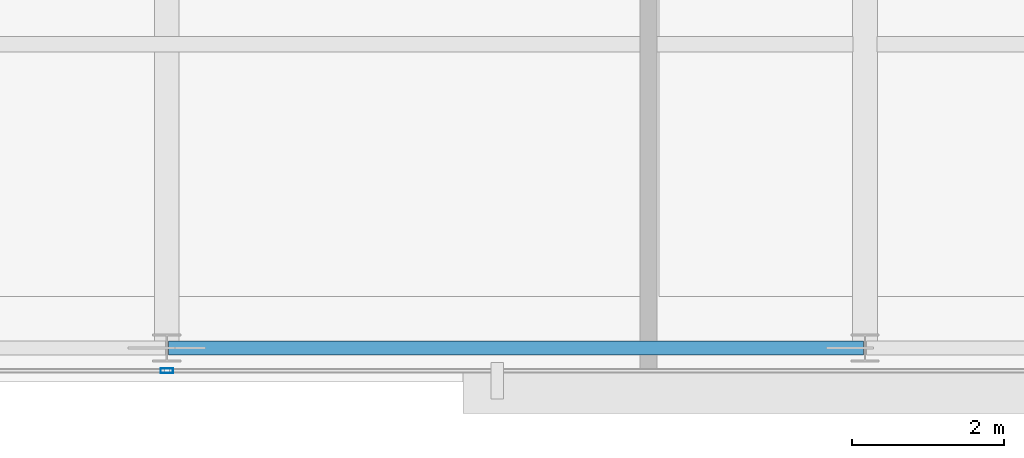
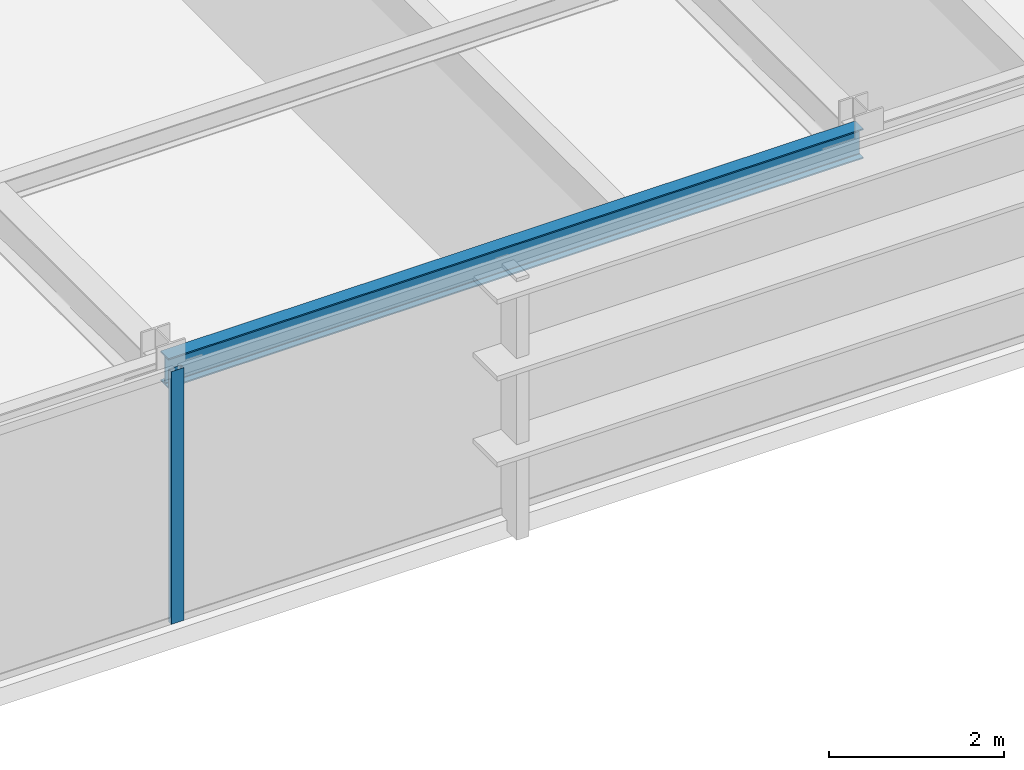
# One storey, part 9 of 29: 1 beam, 1 member, 1 element without a shape of its own.
"""IFC4 building model written with IfcOpenShell, lengths in metres."""

import ifcopenshell
import ifcopenshell.guid

model = None  # the IFC model being written
_history = None  # IfcOwnerHistory: only IFC2X3 demands one
_inside = {}  # id of a spatial element -> (the spatial element, [elements in it])
_under = {}  # id of a project, library or spatial element -> (it, [spatial elements below it])
_declared = {}  # id of a project -> (the project, [libraries it declares])
_typed = {}  # id of a type object -> (the type object, [elements of that type])
_made_of = {}  # id of a material, layer set ... -> (it, [elements and type objects made of it])


def new_model(schema):
    """Start an empty IFC model of exactly this schema.

    Asked for "IFC4X3", IfcOpenShell would pick the latest addendum, in which some entities
    have other attributes; the version numbers below select the first issue.
    IFC2X3 requires an IfcOwnerHistory on every rooted entity: one is made here for all.
    """
    global model, _history
    if schema == "IFC4X3":
        model = ifcopenshell.file(schema_version=(4, 3, 0, 0))
    else:
        model = ifcopenshell.file(schema=schema)
    _inside.clear()
    _under.clear()
    _declared.clear()
    _typed.clear()
    _made_of.clear()
    _history = None
    if model.schema == "IFC2X3":
        org = make("IfcOrganization", Name="unknown")
        user = make(
            "IfcPersonAndOrganization",
            ThePerson=make("IfcPerson", FamilyName="unknown"),
            TheOrganization=org,
        )
        app = make(
            "IfcApplication",
            ApplicationDeveloper=org,
            Version="unknown",
            ApplicationFullName="unknown",
            ApplicationIdentifier="unknown",
        )
        _history = make(
            "IfcOwnerHistory",
            OwningUser=user,
            OwningApplication=app,
            ChangeAction="ADDED",
            CreationDate=0,
        )
    return model


def make(cls, **values):
    """One entity of the class cls with the attributes given. An attribute that is None is left unset."""
    return model.create_entity(
        cls, **{name: value for name, value in values.items() if value is not None}
    )


def rooted(cls, **values):
    """An entity with a GlobalId (a new one), such as an element, a storey or a relation."""
    return make(cls, GlobalId=ifcopenshell.guid.new(), OwnerHistory=_history, **values)


def si_unit(unit_type, name, prefix=None):
    """IfcSIUnit, for example si_unit("LENGTHUNIT", "METRE", prefix="MILLI")."""
    return make("IfcSIUnit", UnitType=unit_type, Prefix=prefix, Name=name)


def assignment(units):
    """IfcUnitAssignment: the units of a project."""
    return None if units is None else make("IfcUnitAssignment", Units=units)


def point(xyz):
    """IfcCartesianPoint."""
    return None if xyz is None else make("IfcCartesianPoint", Coordinates=xyz)


def direction(xyz):
    """IfcDirection."""
    return None if xyz is None else make("IfcDirection", DirectionRatios=xyz)


def frame(location, z_axis=None, x_axis=None):
    """IfcAxis2Placement3D, a coordinate frame: its origin and axes. An axis left out is left unset."""
    return make(
        "IfcAxis2Placement3D",
        Location=point(location),
        Axis=direction(z_axis),
        RefDirection=direction(x_axis),
    )


def frame_2d(location, x_axis=None):
    """IfcAxis2Placement2D, a coordinate frame in the plane: its origin and x axis."""
    return make(
        "IfcAxis2Placement2D", Location=point(location), RefDirection=direction(x_axis)
    )


def origin():
    """The frame at (0, 0, 0) with its axes left unset."""
    return frame((0.0, 0.0, 0.0))


def origin_2d():
    """The frame at (0, 0) in the plane with its x axis left unset."""
    return frame_2d((0.0, 0.0))


def place(relative_to, where):
    """IfcLocalPlacement: puts the frame where relative to a parent placement (None: the world)."""
    return make(
        "IfcLocalPlacement", PlacementRelTo=relative_to, RelativePlacement=where
    )


def context(
    kind, dimensions, precision=None, world=None, true_north=None, identifier=None
):
    """IfcGeometricRepresentationContext, for example the 3D "Model" context."""
    return make(
        "IfcGeometricRepresentationContext",
        ContextIdentifier=identifier,
        ContextType=kind,
        CoordinateSpaceDimension=dimensions,
        Precision=precision,
        WorldCoordinateSystem=world,
        TrueNorth=true_north,
    )


def subcontext(parent, identifier, kind, view, scale=None):
    """IfcGeometricRepresentationSubContext, for example "Body" below "Model"."""
    return make(
        "IfcGeometricRepresentationSubContext",
        ContextIdentifier=identifier,
        ContextType=kind,
        ParentContext=parent,
        TargetScale=scale,
        TargetView=view,
    )


def project(units=None, contexts=None):
    """IfcProject with its units and contexts."""
    return rooted(
        "IfcProject",
        Name="project",
        RepresentationContexts=contexts,
        UnitsInContext=assignment(units),
    )


def spatial(cls, under=None, at=None, **own):
    """A site, building, storey or space (cls), placed at a placement, below another one or the project."""
    s = rooted(cls, ObjectPlacement=at, **own)
    if under is not None:
        _under.setdefault(under.id(), (under, []))[1].append(s)
    return s


def profile(cls, at=None, kind="AREA", **sizes):
    """A parametric profile (cls). Its sizes go by their IFC names, for example OverallWidth=200.0."""
    return make(cls, ProfileType=kind, Position=at, **sizes)


def hollow_rectangle(**sizes):
    """IfcRectangleHollowProfileDef."""
    return profile("IfcRectangleHollowProfileDef", **sizes)


def i_section(**sizes):
    """IfcIShapeProfileDef."""
    return profile("IfcIShapeProfileDef", **sizes)


def extrude(swept, where, along, depth):
    """IfcExtrudedAreaSolid: the profile swept, set in the frame where, extruded along a direction by depth."""
    return make(
        "IfcExtrudedAreaSolid",
        SweptArea=swept,
        Position=where,
        ExtrudedDirection=direction(along),
        Depth=depth,
    )


def shape(context_of_items, identifier, shape_type, items):
    """IfcShapeRepresentation: the items that make up one representation, for example the "Body"."""
    return make(
        "IfcShapeRepresentation",
        ContextOfItems=context_of_items,
        RepresentationIdentifier=identifier,
        RepresentationType=shape_type,
        Items=items,
    )


def source(mapping_origin, context_of_items, identifier, shape_type, items):
    """IfcRepresentationMap: a shape defined once, which mapped items show again and again."""
    return make(
        "IfcRepresentationMap",
        MappingOrigin=mapping_origin,
        MappedRepresentation=shape(context_of_items, identifier, shape_type, items),
    )


def transform(
    local_origin,
    x_axis=None,
    y_axis=None,
    z_axis=None,
    scale=None,
    scale2=None,
    scale3=None,
    uniform=True,
):
    """IfcCartesianTransformationOperator3D, or its non-uniform kind. x_axis, y_axis, z_axis: its Axis1, 2, 3."""
    if uniform:
        return make(
            "IfcCartesianTransformationOperator3D",
            Axis1=direction(x_axis),
            Axis2=direction(y_axis),
            LocalOrigin=point(local_origin),
            Scale=scale,
            Axis3=direction(z_axis),
        )
    return make(
        "IfcCartesianTransformationOperator3DnonUniform",
        Axis1=direction(x_axis),
        Axis2=direction(y_axis),
        LocalOrigin=point(local_origin),
        Scale=scale,
        Axis3=direction(z_axis),
        Scale2=scale2,
        Scale3=scale3,
    )


def mapped(mapping_source, mapping_target):
    """IfcMappedItem: shows the shape of a source again, moved by a transform."""
    return make(
        "IfcMappedItem", MappingSource=mapping_source, MappingTarget=mapping_target
    )


def material(Name=None, Category=None):
    """IfcMaterial."""
    return make("IfcMaterial", Name=Name, Category=Category)


def layer(
    of_material, thickness, ventilated=None, Name=None, Category=None, Priority=None
):
    """IfcMaterialLayer: one layer of a wall or slab, of a material (None: an air gap)."""
    return make(
        "IfcMaterialLayer",
        Material=of_material,
        LayerThickness=thickness,
        IsVentilated=ventilated,
        Name=Name,
        Category=Category,
        Priority=Priority,
    )


def layer_set(layers, Name=None):
    """IfcMaterialLayerSet."""
    return make("IfcMaterialLayerSet", MaterialLayers=layers, LayerSetName=Name)


def material_profile(
    of_material, cross_section, Name=None, Category=None, Priority=None
):
    """IfcMaterialProfile: a cross section and its material."""
    return make(
        "IfcMaterialProfile",
        Name=Name,
        Material=of_material,
        Profile=cross_section,
        Priority=Priority,
        Category=Category,
    )


def profile_set(profiles, Name=None, composite=None):
    """IfcMaterialProfileSet."""
    return make(
        "IfcMaterialProfileSet",
        Name=Name,
        MaterialProfiles=profiles,
        CompositeProfile=composite,
    )


def made_of(thing, what):
    """Note that an element or type object is made of a material, layer set ...; save() writes the relation."""
    if what is not None:
        _made_of.setdefault(what.id(), (what, []))[1].append(thing)
    return thing


def type_object(cls, material=None, **own):
    """A type object (cls), such as IfcWallType, which elements share."""
    return made_of(rooted(cls, **own), material)


def type_shapes(of_type, sources):
    """Give a type object the sources (RepresentationMaps) that its elements show as mapped items."""
    of_type.RepresentationMaps = sources


def element(
    cls,
    number,
    at=None,
    inside=None,
    cuts=None,
    type_object=None,
    material=None,
    context=None,
    identifier="Body",
    shape_type=None,
    held_by="IfcProductDefinitionShape",
    body=None,
    shapes=None,
    **own,
):
    """One element of the class cls, such as IfcWall. Its Tag is "e" and its number.

    at: its placement. inside: the storey or other place that contains it. cuts: it is an
    opening in that element (IfcRelVoidsElement). A single representation is given by context,
    identifier, shape_type and body (its items); several are given by shapes. held_by: the class
    of the entity that holds the representations. save() writes the other relations.
    """
    e = rooted(cls, Tag="e%d" % number, ObjectPlacement=at, **own)
    if body is not None:
        shapes = [shape(context, identifier, shape_type, body)]
    if shapes is not None:
        e.Representation = make(held_by, Representations=shapes)
    if inside is not None:
        _inside.setdefault(inside.id(), (inside, []))[1].append(e)
    if cuts is not None:
        rooted(
            "IfcRelVoidsElement", RelatingBuildingElement=cuts, RelatedOpeningElement=e
        )
    if type_object is not None:
        _typed.setdefault(type_object.id(), (type_object, []))[1].append(e)
    return made_of(e, material)


def aggregate(whole, parts):
    """IfcRelAggregates: a whole, such as a stair, and the parts it consists of."""
    return rooted("IfcRelAggregates", RelatingObject=whole, RelatedObjects=parts)


def save(model, path):
    """Write the relations noted so far, then the file.

    IfcRelAggregates (storeys below a building ...), IfcRelContainedInSpatialStructure (elements
    in a storey), IfcRelDefinesByType, IfcRelAssociatesMaterial and IfcRelDeclares: one each for
    every whole, place, type object, material and project.
    """
    for whole, parts in _under.values():
        aggregate(whole, parts)
    for where, things in _inside.values():
        rooted(
            "IfcRelContainedInSpatialStructure",
            RelatedElements=things,
            RelatingStructure=where,
        )
    for kind, things in _typed.values():
        rooted("IfcRelDefinesByType", RelatedObjects=things, RelatingType=kind)
    for what, things in _made_of.values():
        rooted("IfcRelAssociatesMaterial", RelatedObjects=things, RelatingMaterial=what)
    for by, libraries in _declared.values():
        rooted("IfcRelDeclares", RelatingContext=by, RelatedDefinitions=libraries)
    model.write(path)


model = new_model("IFC4")

# Units and contexts
model_context = context("Model", 3, precision=1e-05, world=origin(), true_north=direction((0.0, 1.0)))
body_context = subcontext(model_context, "Body", "Model", "MODEL_VIEW")
ifc_project = project(units=[si_unit("LENGTHUNIT", "METRE"), si_unit("AREAUNIT", "SQUARE_METRE"), si_unit("VOLUMEUNIT", "CUBIC_METRE"), si_unit("PLANEANGLEUNIT", "RADIAN"), si_unit("MASSUNIT", "GRAM", prefix="KILO")], contexts=[model_context])

# Site, building, storey
site_placement = place(None, origin())
site = spatial("IfcSite", under=ifc_project, at=site_placement, CompositionType="ELEMENT")
building_placement = place(site_placement, origin())
building = spatial("IfcBuilding", under=site, at=building_placement, Name="Varnel Quay Broadcast Tower", CompositionType="ELEMENT")
storey_placement = place(building_placement, frame((0.0, 0.0, 187.60009765625)))
storey = spatial("IfcBuildingStorey", under=building, at=storey_placement, Name="L46", CompositionType="ELEMENT", Elevation=187.60009765625)

# Beam
ifc_material_1 = material(Name="Structural Steel CSA G40.21 350W", Category="steel")
ifc_material_profile_1 = material_profile(ifc_material_1, i_section(OverallWidth=0.180908203125, OverallDepth=0.4169921875, WebThickness=0.010986328125, FlangeThickness=0.018310546875, FilletRadius=0.011962890625, at=origin_2d()), Name="W410X85")
ifc_profile_set_1 = profile_set([ifc_material_profile_1], Name="Structural Steel CSA G40.21 350W")
beam_type = type_object("IfcBeamType", Name="Beam_W410X85", PredefinedType="SPANDREL", material=ifc_profile_set_1)
shared_shape_1 = source(origin(), body_context, "Body", "SweptSolid", [
    extrude(i_section(OverallWidth=0.180908203125, OverallDepth=0.4169921875, WebThickness=0.010986328125, FlangeThickness=0.018310546875, FilletRadius=0.011962890625, at=origin_2d()), origin(), (0.0, 0.0, 1.0), 9.159912109375),
])
type_shapes(beam_type, [shared_shape_1])
beam_placement = place(storey_placement, frame((34.02001953125, 7.64990234375, 3.3115234375), z_axis=(1.0, 0.0, 0.0), x_axis=(0.0, 1.0, 0.0)))
element("IfcBeam", 1, at=beam_placement, inside=storey, type_object=beam_type, Name="L46 South Spandrel TC-S3-TC-S4", PredefinedType="SPANDREL", context=body_context, shape_type="MappedRepresentation", body=[
    mapped(shared_shape_1, transform((0.0, 0.0, 0.0), x_axis=(1.0, 0.0, 0.0), y_axis=(0.0, 1.0, 0.0), z_axis=(0.0, 0.0, 1.0), scale=1.0)),
])

# Curtain wall, member
ifc_material_2 = material(Name="Anodised Bronze Aluminium 6063-T6", Category="aluminium")
ifc_layer = layer(ifc_material_2, 0.18994140625, Name="Anodised Bronze Aluminium 6063-T6")
ifc_layer_set = layer_set([ifc_layer], Name="Anodised Bronze Aluminium 6063-T6")
curtain_wall_type = type_object("IfcCurtainWallType", Name="CW_UpperTower", PredefinedType="NOTDEFINED", material=ifc_layer_set)
curtain_wall_placement = place(storey_placement, origin())
curtain_wall = element("IfcCurtainWall", 2, at=curtain_wall_placement, inside=storey, type_object=curtain_wall_type, Name="L46 South Unitised Curtain Wall 1", PredefinedType="NOTDEFINED")
ifc_material_profile_2 = material_profile(ifc_material_2, hollow_rectangle(XDim=0.06494140625, YDim=0.1650390625, WallThickness=0.00341796875, at=origin_2d()), Name="ALU65X165X3.5")
ifc_profile_set_2 = profile_set([ifc_material_profile_2], Name="Anodised Bronze Aluminium 6063-T6")
member_type = type_object("IfcMemberType", Name="Mull_CWS-03", PredefinedType="MULLION", material=ifc_profile_set_2)
shared_shape_2 = source(origin(), body_context, "Body", "SweptSolid", [
    extrude(hollow_rectangle(XDim=0.06494140625, YDim=0.1650390625, WallThickness=0.00341796875, at=origin_2d()), origin(), (0.0, 0.0, 1.0), 3.52001953125),
])
type_shapes(member_type, [shared_shape_2])
member_placement = place(storey_placement, frame((34.0, 7.35009765625, 0.0), z_axis=(0.0, 0.0, 1.0), x_axis=(0.0, 1.0, 0.0)))
member = element("IfcMember", 3, at=member_placement, type_object=member_type, Name="CWS-03 mullion 3", PredefinedType="MULLION", context=body_context, shape_type="MappedRepresentation", body=[
    mapped(shared_shape_2, transform((0.0, 0.0, 0.0), x_axis=(1.0, 0.0, 0.0), y_axis=(0.0, 1.0, 0.0), z_axis=(0.0, 0.0, 1.0), scale=1.0)),
])
aggregate(curtain_wall, [member])

save(model, "model.ifc")
